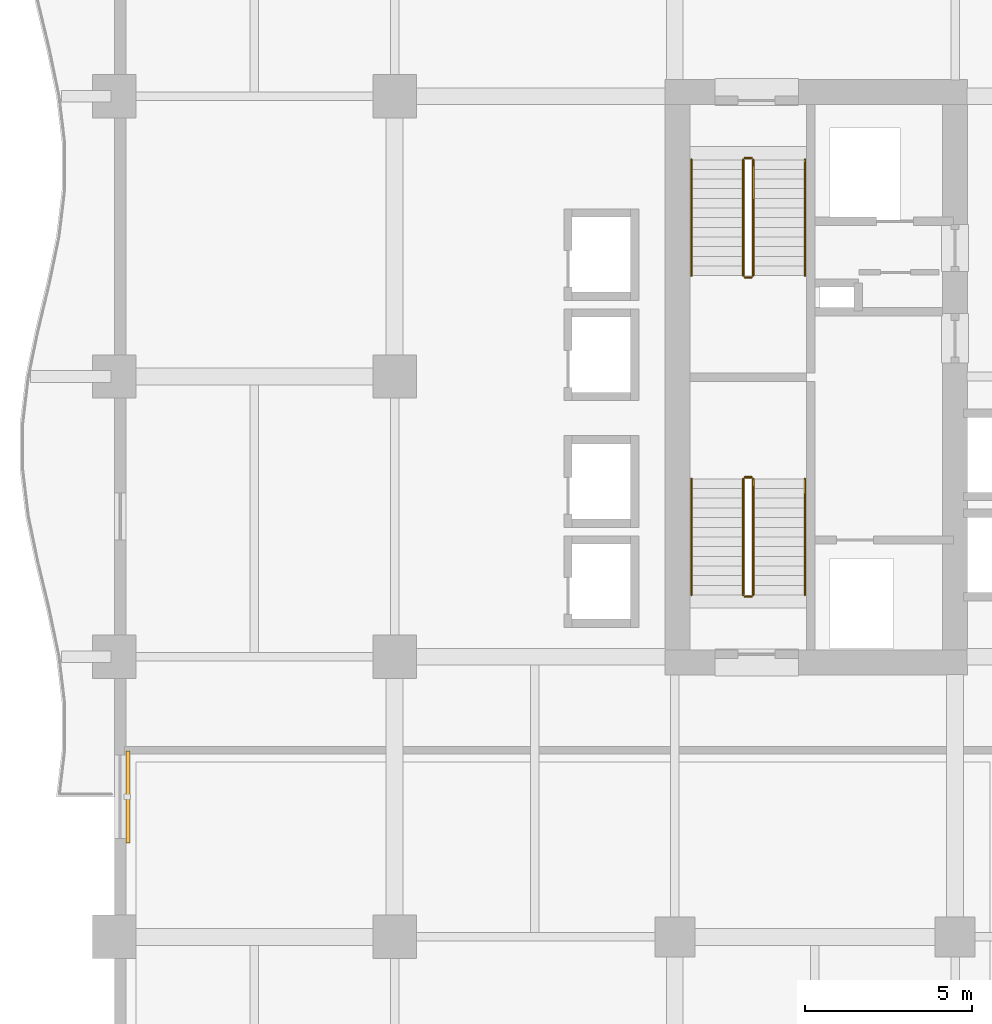
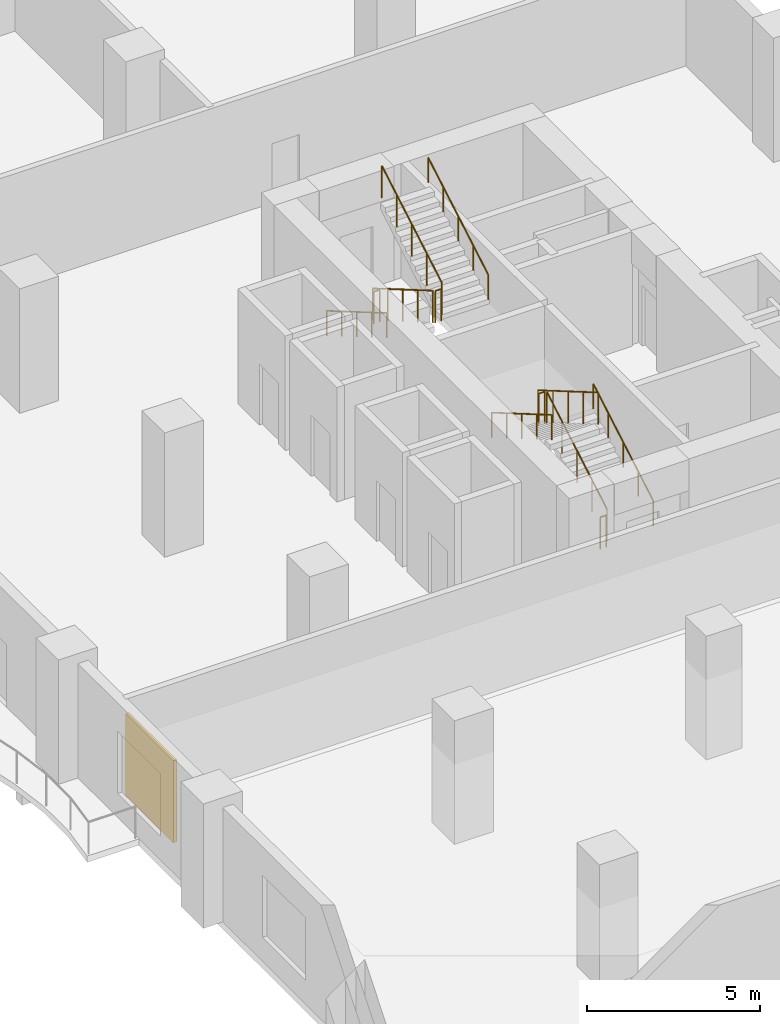
# One storey, part 23 of 24: 12 railings, 1 shading device.
"""IFC4 building model written with IfcOpenShell, lengths in metres."""

from ifc_helpers import new_model, si_unit, direction, frame, origin, origin_2d, place, context, subcontext, project, spatial, rectangle, circle, extrude, material, layer, layer_set, type_object, element, save


model = new_model("IFC4")

# Units and contexts
model_context = context("Model", 3, precision=1e-05, world=origin(), true_north=direction((0.0, 1.0)))
body_context = subcontext(model_context, "Body", "Model", "MODEL_VIEW")
ifc_project = project(units=[si_unit("LENGTHUNIT", "METRE"), si_unit("AREAUNIT", "SQUARE_METRE"), si_unit("VOLUMEUNIT", "CUBIC_METRE"), si_unit("PLANEANGLEUNIT", "RADIAN"), si_unit("MASSUNIT", "GRAM", prefix="KILO")], contexts=[model_context])

# Site, building, storey
site_placement = place(None, origin())
site = spatial("IfcSite", under=ifc_project, at=site_placement, CompositionType="ELEMENT")
building_placement = place(site_placement, origin())
building = spatial("IfcBuilding", under=site, at=building_placement, Name="Koriwani Terraces Tower", CompositionType="ELEMENT")
storey_placement = place(building_placement, frame((0.0, 0.0, 89.60009765625)))
storey = spatial("IfcBuildingStorey", under=building, at=storey_placement, Name="L21", CompositionType="ELEMENT", Elevation=89.60009765625)

# Railings
ifc_material_1 = material(Name="Steel ASTM A572 Grade 50", Category="steel")
railing_type_1 = type_object("IfcRailingType", Name="GUARD_STAIR_WELL_1120", PredefinedType="GUARDRAIL", material=ifc_material_1)
railing_1_placement = place(storey_placement, frame((19.14990234375, 43.85009765625, 0.169189453125)))
element("IfcRailing", 1, at=railing_1_placement, inside=storey, type_object=railing_type_1, Name="L21 ST-W1 stair guard 1", PredefinedType="GUARDRAIL", context=body_context, shape_type="SweptSolid", body=[
    extrude(circle(Radius=0.02392578125, at=origin_2d()), frame((0.0, 0.0, 1.1259765625), z_axis=(0.0, 0.863695377172, 0.504014181796), x_axis=(-1.0, 0.0, 0.0)), (0.0, 0.0, 1.0), 4.029296875),
    extrude(circle(Radius=0.02099609375, at=origin_2d()), origin(), (0.0, 0.0, 1.0), 1.101806640625),
    extrude(circle(Radius=0.02099609375, at=origin_2d()), frame((0.0, 0.8701171875, 0.5078125)), (0.0, 0.0, 1.0), 1.101806640625),
    extrude(circle(Radius=0.02099609375, at=origin_2d()), frame((0.0, 1.739990234375, 1.015380859375)), (0.0, 0.0, 1.0), 1.101806640625),
    extrude(circle(Radius=0.02099609375, at=origin_2d()), frame((0.0, 2.60986328125, 1.52294921875)), (0.0, 0.0, 1.0), 1.101806640625),
    extrude(circle(Radius=0.02099609375, at=origin_2d()), frame((0.0, 3.47998046875, 2.03076171875)), (0.0, 0.0, 1.0), 1.101806640625),
])
railing_2_placement = place(storey_placement, frame((19.10009765625, 47.3798828125, 2.199951171875)))
element("IfcRailing", 2, at=railing_2_placement, inside=storey, type_object=railing_type_1, Name="L21 ST-W1 stair guard 2", PredefinedType="GUARDRAIL", context=body_context, shape_type="SweptSolid", body=[
    extrude(circle(Radius=0.02392578125, at=origin_2d()), frame((0.0, 0.0, 1.1259765625), z_axis=(-1.0, 0.0, 0.0), x_axis=(0.0, -1.0, 0.0)), (0.0, 0.0, 1.0), 0.2001953125),
    extrude(circle(Radius=0.02099609375, at=origin_2d()), origin(), (0.0, 0.0, 1.0), 1.101806640625),
    extrude(circle(Radius=0.02099609375, at=origin_2d()), frame((-0.2001953125, 0.0, 0.0)), (0.0, 0.0, 1.0), 1.101806640625),
])
railing_3_placement = place(storey_placement, frame((18.85009765625, 47.330078125, 2.369140625)))
element("IfcRailing", 3, at=railing_3_placement, inside=storey, type_object=railing_type_1, Name="L21 ST-W1 stair guard 3", PredefinedType="GUARDRAIL", context=body_context, shape_type="SweptSolid", body=[
    extrude(circle(Radius=0.02392578125, at=origin_2d()), frame((0.0, 0.0, 1.1259765625), z_axis=(0.0, -0.863695377172, 0.504014181796), x_axis=(1.0, 0.0, 0.0)), (0.0, 0.0, 1.0), 4.029296875),
    extrude(circle(Radius=0.02099609375, at=origin_2d()), origin(), (0.0, 0.0, 1.0), 1.101806640625),
    extrude(circle(Radius=0.02099609375, at=origin_2d()), frame((0.0, -0.8701171875, 0.5078125)), (0.0, 0.0, 1.0), 1.101806640625),
    extrude(circle(Radius=0.02099609375, at=origin_2d()), frame((0.0, -1.739990234375, 1.015380859375)), (0.0, 0.0, 1.0), 1.101806640625),
    extrude(circle(Radius=0.02099609375, at=origin_2d()), frame((0.0, -2.60986328125, 1.52294921875)), (0.0, 0.0, 1.0), 1.101806640625),
    extrude(circle(Radius=0.02099609375, at=origin_2d()), frame((0.0, -3.47998046875, 2.03076171875)), (0.0, 0.0, 1.0), 1.101806640625),
])
railing_4_placement = place(storey_placement, frame((19.10009765625, 43.800048828125, 0.0)))
element("IfcRailing", 4, at=railing_4_placement, inside=storey, type_object=railing_type_1, Name="L21 ST-W1 stair guard 4", PredefinedType="GUARDRAIL", context=body_context, shape_type="SweptSolid", body=[
    extrude(circle(Radius=0.02392578125, at=origin_2d()), frame((0.0, 0.0, 1.1259765625), z_axis=(-1.0, 0.0, 0.0), x_axis=(0.0, -1.0, 0.0)), (0.0, 0.0, 1.0), 0.2001953125),
    extrude(circle(Radius=0.02099609375, at=origin_2d()), origin(), (0.0, 0.0, 1.0), 1.101806640625),
    extrude(circle(Radius=0.02099609375, at=origin_2d()), frame((-0.2001953125, 0.0, 0.0)), (0.0, 0.0, 1.0), 1.101806640625),
])
railing_5_placement = place(storey_placement, frame((18.85009765625, 56.89990234375, 0.169189453125)))
element("IfcRailing", 5, at=railing_5_placement, inside=storey, type_object=railing_type_1, Name="L21 ST-W2 stair guard 1", PredefinedType="GUARDRAIL", context=body_context, shape_type="SweptSolid", body=[
    extrude(circle(Radius=0.02392578125, at=origin_2d()), frame((0.0, 0.0, 1.1259765625), z_axis=(0.0, -0.863695377172, 0.504014181796), x_axis=(1.0, 0.0, 0.0)), (0.0, 0.0, 1.0), 4.029296875),
    extrude(circle(Radius=0.02099609375, at=origin_2d()), origin(), (0.0, 0.0, 1.0), 1.101806640625),
    extrude(circle(Radius=0.02099609375, at=origin_2d()), frame((0.0, -0.8701171875, 0.5078125)), (0.0, 0.0, 1.0), 1.101806640625),
    extrude(circle(Radius=0.02099609375, at=origin_2d()), frame((0.0, -1.739990234375, 1.015380859375)), (0.0, 0.0, 1.0), 1.101806640625),
    extrude(circle(Radius=0.02099609375, at=origin_2d()), frame((0.0, -2.60986328125, 1.52294921875)), (0.0, 0.0, 1.0), 1.101806640625),
    extrude(circle(Radius=0.02099609375, at=origin_2d()), frame((0.0, -3.47998046875, 2.03076171875)), (0.0, 0.0, 1.0), 1.101806640625),
])
railing_6_placement = place(storey_placement, frame((18.89990234375, 53.3701171875, 2.199951171875)))
element("IfcRailing", 6, at=railing_6_placement, inside=storey, type_object=railing_type_1, Name="L21 ST-W2 stair guard 2", PredefinedType="GUARDRAIL", context=body_context, shape_type="SweptSolid", body=[
    extrude(circle(Radius=0.02392578125, at=origin_2d()), frame((0.0, 0.0, 1.1259765625), z_axis=(1.0, 0.0, 0.0), x_axis=(0.0, 1.0, 0.0)), (0.0, 0.0, 1.0), 0.2001953125),
    extrude(circle(Radius=0.02099609375, at=origin_2d()), origin(), (0.0, 0.0, 1.0), 1.101806640625),
    extrude(circle(Radius=0.02099609375, at=origin_2d()), frame((0.2001953125, 0.0, 0.0)), (0.0, 0.0, 1.0), 1.101806640625),
])
railing_7_placement = place(storey_placement, frame((19.14990234375, 53.419921875, 2.369140625)))
element("IfcRailing", 7, at=railing_7_placement, inside=storey, type_object=railing_type_1, Name="L21 ST-W2 stair guard 3", PredefinedType="GUARDRAIL", context=body_context, shape_type="SweptSolid", body=[
    extrude(circle(Radius=0.02392578125, at=origin_2d()), frame((0.0, 0.0, 1.1259765625), z_axis=(0.0, 0.863695377172, 0.504014181796), x_axis=(-1.0, 0.0, 0.0)), (0.0, 0.0, 1.0), 4.029296875),
    extrude(circle(Radius=0.02099609375, at=origin_2d()), origin(), (0.0, 0.0, 1.0), 1.101806640625),
    extrude(circle(Radius=0.02099609375, at=origin_2d()), frame((0.0, 0.8701171875, 0.5078125)), (0.0, 0.0, 1.0), 1.101806640625),
    extrude(circle(Radius=0.02099609375, at=origin_2d()), frame((0.0, 1.739990234375, 1.015380859375)), (0.0, 0.0, 1.0), 1.101806640625),
    extrude(circle(Radius=0.02099609375, at=origin_2d()), frame((0.0, 2.60986328125, 1.52294921875)), (0.0, 0.0, 1.0), 1.101806640625),
    extrude(circle(Radius=0.02099609375, at=origin_2d()), frame((0.0, 3.47998046875, 2.03076171875)), (0.0, 0.0, 1.0), 1.101806640625),
])
railing_8_placement = place(storey_placement, frame((18.89990234375, 56.949951171875, 0.0)))
element("IfcRailing", 8, at=railing_8_placement, inside=storey, type_object=railing_type_1, Name="L21 ST-W2 stair guard 4", PredefinedType="GUARDRAIL", context=body_context, shape_type="SweptSolid", body=[
    extrude(circle(Radius=0.02392578125, at=origin_2d()), frame((0.0, 0.0, 1.1259765625), z_axis=(1.0, 0.0, 0.0), x_axis=(0.0, 1.0, 0.0)), (0.0, 0.0, 1.0), 0.2001953125),
    extrude(circle(Radius=0.02099609375, at=origin_2d()), origin(), (0.0, 0.0, 1.0), 1.101806640625),
    extrude(circle(Radius=0.02099609375, at=origin_2d()), frame((0.2001953125, 0.0, 0.0)), (0.0, 0.0, 1.0), 1.101806640625),
])
railing_type_2 = type_object("IfcRailingType", Name="HANDRAIL_STAIR_920", PredefinedType="HANDRAIL", material=ifc_material_1)
railing_9_placement = place(storey_placement, frame((20.699951171875, 43.85009765625, 0.169189453125)))
element("IfcRailing", 9, at=railing_9_placement, inside=storey, type_object=railing_type_2, Name="L21 ST-W1 stair handrail 1", PredefinedType="HANDRAIL", context=body_context, shape_type="SweptSolid", body=[
    extrude(circle(Radius=0.02392578125, at=origin_2d()), frame((0.0, 0.0, 0.8759765625), z_axis=(0.0, 0.863695377172, 0.504014181796), x_axis=(-1.0, 0.0, 0.0)), (0.0, 0.0, 1.0), 4.029296875),
    extrude(circle(Radius=0.02099609375, at=origin_2d()), origin(), (0.0, 0.0, 1.0), 0.851806640625),
    extrude(circle(Radius=0.02099609375, at=origin_2d()), frame((0.0, 0.8701171875, 0.5078125)), (0.0, 0.0, 1.0), 0.851806640625),
    extrude(circle(Radius=0.02099609375, at=origin_2d()), frame((0.0, 1.739990234375, 1.015380859375)), (0.0, 0.0, 1.0), 0.851806640625),
    extrude(circle(Radius=0.02099609375, at=origin_2d()), frame((0.0, 2.60986328125, 1.52294921875)), (0.0, 0.0, 1.0), 0.851806640625),
    extrude(circle(Radius=0.02099609375, at=origin_2d()), frame((0.0, 3.47998046875, 2.03076171875)), (0.0, 0.0, 1.0), 0.851806640625),
])
for number, where, name in (
    (10, (17.300048828125, 47.330078125, 2.369140625), "L21 ST-W1 stair handrail 2"),
    (11, (17.300048828125, 56.89990234375, 0.169189453125), "L21 ST-W2 stair handrail 1"),
):
    element("IfcRailing", number, at=place(storey_placement, frame(where)), inside=storey, type_object=railing_type_2, Name=name, PredefinedType="HANDRAIL", context=body_context, shape_type="SweptSolid", body=[
        extrude(circle(Radius=0.02392578125, at=origin_2d()), frame((0.0, 0.0, 0.8759765625), z_axis=(0.0, -0.863695377172, 0.504014181796), x_axis=(1.0, 0.0, 0.0)), (0.0, 0.0, 1.0), 4.029296875),
        extrude(circle(Radius=0.02099609375, at=origin_2d()), origin(), (0.0, 0.0, 1.0), 0.851806640625),
        extrude(circle(Radius=0.02099609375, at=origin_2d()), frame((0.0, -0.8701171875, 0.5078125)), (0.0, 0.0, 1.0), 0.851806640625),
        extrude(circle(Radius=0.02099609375, at=origin_2d()), frame((0.0, -1.739990234375, 1.015380859375)), (0.0, 0.0, 1.0), 0.851806640625),
        extrude(circle(Radius=0.02099609375, at=origin_2d()), frame((0.0, -2.60986328125, 1.52294921875)), (0.0, 0.0, 1.0), 0.851806640625),
        extrude(circle(Radius=0.02099609375, at=origin_2d()), frame((0.0, -3.47998046875, 2.03076171875)), (0.0, 0.0, 1.0), 0.851806640625),
    ])
railing_10_placement = place(storey_placement, frame((20.699951171875, 53.419921875, 2.369140625)))
element("IfcRailing", 12, at=railing_10_placement, inside=storey, type_object=railing_type_2, Name="L21 ST-W2 stair handrail 2", PredefinedType="HANDRAIL", context=body_context, shape_type="SweptSolid", body=[
    extrude(circle(Radius=0.02392578125, at=origin_2d()), frame((0.0, 0.0, 0.8759765625), z_axis=(0.0, 0.863695377172, 0.504014181796), x_axis=(-1.0, 0.0, 0.0)), (0.0, 0.0, 1.0), 4.029296875),
    extrude(circle(Radius=0.02099609375, at=origin_2d()), origin(), (0.0, 0.0, 1.0), 0.851806640625),
    extrude(circle(Radius=0.02099609375, at=origin_2d()), frame((0.0, 0.8701171875, 0.5078125)), (0.0, 0.0, 1.0), 0.851806640625),
    extrude(circle(Radius=0.02099609375, at=origin_2d()), frame((0.0, 1.739990234375, 1.015380859375)), (0.0, 0.0, 1.0), 0.851806640625),
    extrude(circle(Radius=0.02099609375, at=origin_2d()), frame((0.0, 2.60986328125, 1.52294921875)), (0.0, 0.0, 1.0), 0.851806640625),
    extrude(circle(Radius=0.02099609375, at=origin_2d()), frame((0.0, 3.47998046875, 2.03076171875)), (0.0, 0.0, 1.0), 0.851806640625),
])

# Shading device
ifc_material_2 = material(Name="Extruded Terracotta Clay", Category="masonry")
ifc_layer = layer(ifc_material_2, 0.1201171875, Name="Extruded Terracotta Clay")
ifc_layer_set = layer_set([ifc_layer], Name="Extruded Terracotta Clay")
shading_device_type = type_object("IfcShadingDeviceType", Name="TERRACOTTA_BAGUETTE_SCREEN_2800", PredefinedType="USERDEFINED", material=ifc_layer_set)
shading_device_placement = place(storey_placement, frame((0.405029296875, 37.800048828125, 0.574951171875), z_axis=(0.0, 0.0, 1.0), x_axis=(0.0, 1.0, 0.0)))
element("IfcShadingDevice", 13, at=shading_device_placement, inside=storey, type_object=shading_device_type, Name="L21 Extruded Terracotta Baguette Screen (W-12)", ObjectType="BAGUETTE", PredefinedType="USERDEFINED", context=body_context, shape_type="SweptSolid", body=[
    extrude(rectangle(XDim=2.760009765625, YDim=0.1201171875, at=origin_2d()), origin(), (0.0, 0.0, 1.0), 2.89990234375),
])

save(model, "model.ifc")
